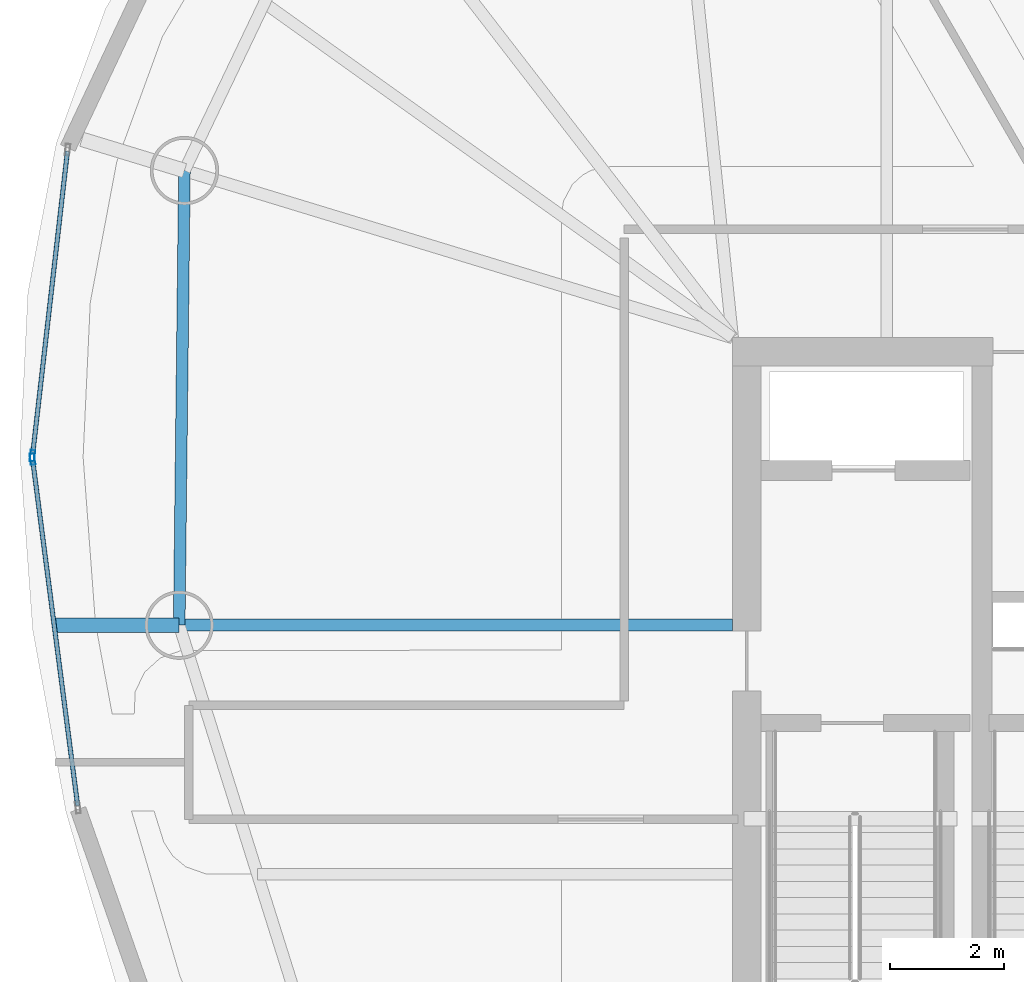
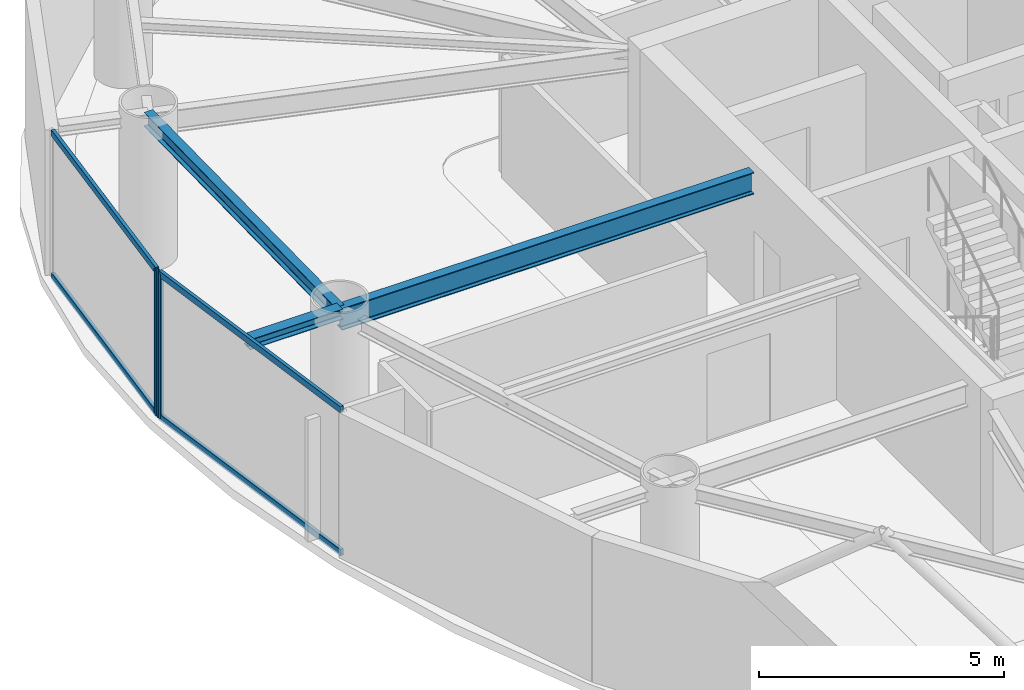
# One storey, part 5 of 20: 6 members, 3 beams, 2 elements without a shape of their own.
"""IFC4 building model written with IfcOpenShell, lengths in metres."""

from ifc_helpers import new_model, si_unit, direction, frame, origin, origin_2d, place, context, subcontext, project, spatial, hollow_rectangle, i_section, extrude, material, layer, layer_set, material_profile, profile_set, type_object, element, aggregate, save


model = new_model("IFC4")

# Units and contexts
model_context = context("Model", 3, precision=1e-05, world=origin(), true_north=direction((0.0, 1.0)))
body_context = subcontext(model_context, "Body", "Model", "MODEL_VIEW")
ifc_project = project(units=[si_unit("LENGTHUNIT", "METRE"), si_unit("AREAUNIT", "SQUARE_METRE"), si_unit("VOLUMEUNIT", "CUBIC_METRE"), si_unit("PLANEANGLEUNIT", "RADIAN"), si_unit("MASSUNIT", "GRAM", prefix="KILO")], contexts=[model_context])

# Site, building, storey
site_placement = place(None, origin())
site = spatial("IfcSite", under=ifc_project, at=site_placement, CompositionType="ELEMENT")
building_placement = place(site_placement, origin())
building = spatial("IfcBuilding", under=site, at=building_placement, Name="Bramvorn Convention Spire", CompositionType="ELEMENT")
storey_placement = place(building_placement, frame((0.0, 0.0, 175.050048828125)))
storey = spatial("IfcBuildingStorey", under=building, at=storey_placement, Name="L44", CompositionType="ELEMENT", Elevation=175.050048828125)

# Beams
ifc_material_1 = material(Name="Steel CSA G40.21 Grade 350 (350W)", Category="steel")
ifc_material_profile_1 = material_profile(ifc_material_1, i_section(OverallWidth=0.25390625, OverallDepth=0.2529296875, WebThickness=0.008544921875, FlangeThickness=0.01416015625, FilletRadius=0.011962890625, at=origin_2d()))
ifc_profile_set_1 = profile_set([ifc_material_profile_1], Name="Steel CSA G40.21 Grade 350 (350W) - W250X73")
beam_type_1 = type_object("IfcBeamType", Name="BM-W250X73", PredefinedType="BEAM", material=ifc_profile_set_1)
beam_1_placement = place(storey_placement, frame((17.04541015625, 28.406494140625, 3.493408203125), z_axis=(-1.0, 0.0, 0.0), x_axis=(0.0, -1.0, 0.0)))
element("IfcBeam", 1, at=beam_1_placement, inside=storey, type_object=beam_type_1, Name="L44 slab-edge cantilever tip beam MC11", PredefinedType="BEAM", context=body_context, shape_type="SweptSolid", body=[
    extrude(i_section(OverallWidth=0.25390625, OverallDepth=0.2529296875, WebThickness=0.008544921875, FlangeThickness=0.01416015625, FilletRadius=0.011962890625, at=origin_2d()), origin(), (0.0, 0.0, 1.0), 2.1826171875),
])
ifc_material_profile_2 = material_profile(ifc_material_1, i_section(OverallWidth=0.205078125, OverallDepth=0.35400390625, WebThickness=0.009521484375, FlangeThickness=0.016845703125, FilletRadius=0.014892578125, at=origin_2d()))
ifc_profile_set_2 = profile_set([ifc_material_profile_2], Name="Steel CSA G40.21 Grade 350 (350W) - W360X79")
beam_type_2 = type_object("IfcBeamType", Name="BM-W360X79", PredefinedType="JOIST", material=ifc_profile_set_2)
beam_2_placement = place(storey_placement, frame((17.136962890625, 36.380615234375, 3.44287109375), z_axis=(-0.011480475367, -0.999934097171, 0.0), x_axis=(0.999934097171, -0.011480475367, 0.0)))
element("IfcBeam", 2, at=beam_2_placement, inside=storey, type_object=beam_type_2, Name="L44 mega-column ring beam 10", PredefinedType="JOIST", context=body_context, shape_type="SweptSolid", body=[
    extrude(i_section(OverallWidth=0.205078125, OverallDepth=0.35400390625, WebThickness=0.009521484375, FlangeThickness=0.016845703125, FilletRadius=0.014892578125, at=origin_2d()), origin(), (0.0, 0.0, 1.0), 7.974609375),
])
ifc_material_profile_3 = material_profile(ifc_material_1, i_section(OverallWidth=0.2119140625, OverallDepth=0.5439453125, WebThickness=0.01318359375, FlangeThickness=0.021240234375, FilletRadius=0.01904296875, at=origin_2d()))
ifc_profile_set_3 = profile_set([ifc_material_profile_3], Name="Steel CSA G40.21 Grade 350 (350W) - W530X123")
beam_type_3 = type_object("IfcBeamType", Name="BM-W530X123", PredefinedType="BEAM", material=ifc_profile_set_3)
beam_3_placement = place(storey_placement, frame((26.75, 28.406494140625, 3.347900390625), z_axis=(-1.0, 0.0, 0.0), x_axis=(0.0, -1.0, 0.0)))
element("IfcBeam", 3, at=beam_3_placement, inside=storey, type_object=beam_type_3, Name="L44 radial floor girder MC11", PredefinedType="BEAM", context=body_context, shape_type="SweptSolid", body=[
    extrude(i_section(OverallWidth=0.2119140625, OverallDepth=0.5439453125, WebThickness=0.01318359375, FlangeThickness=0.021240234375, FilletRadius=0.01904296875, at=origin_2d()), origin(), (0.0, 0.0, 1.0), 9.70458984375),
])

# Curtain wall, member
ifc_material_2 = material(Name="Anodised Bronze Unitised Curtain Wall", Category="aluminium")
ifc_layer = layer(ifc_material_2, 0.179931640625)
ifc_layer_set = layer_set([ifc_layer], Name="Anodised Bronze Unitised Curtain Wall - CW-OFF-FRIT")
curtain_wall_type = type_object("IfcCurtainWallType", Name="CW-OFF-FRIT", PredefinedType="USERDEFINED", material=ifc_layer_set)
curtain_wall_1_placement = place(storey_placement, origin())
curtain_wall_1 = element("IfcCurtainWall", 4, at=curtain_wall_1_placement, inside=storey, type_object=curtain_wall_type, Name="L44 fritted glass curtain wall 14", ObjectType="UNITISED CURTAIN WALL", PredefinedType="USERDEFINED")
ifc_material_3 = material(Name="Anodised Bronze Aluminium 6063-T6", Category="aluminium")
ifc_material_profile_4 = material_profile(ifc_material_3, hollow_rectangle(XDim=0.080078125, YDim=0.199951171875, WallThickness=0.00390625, InnerFilletRadius=0.0009765625, OuterFilletRadius=0.00390625, at=origin_2d()))
ifc_profile_set_4 = profile_set([ifc_material_profile_4], Name="Anodised Bronze Aluminium 6063-T6 - CWM80X200")
member_type_1 = type_object("IfcMemberType", Name="CW-MUL-180", PredefinedType="MULLION", material=ifc_profile_set_4)
member_1_placement = place(storey_placement, frame((14.4716796875, 31.37939453125, 0.0), z_axis=(0.0, 0.0, 1.0), x_axis=(-0.993479833675, 0.114007982536, 0.0)))
member_1 = element("IfcMember", 5, at=member_1_placement, type_object=member_type_1, Name="CW3 mullion 1", PredefinedType="MULLION", context=body_context, shape_type="SweptSolid", body=[
    extrude(hollow_rectangle(XDim=0.080078125, YDim=0.199951171875, WallThickness=0.00390625, InnerFilletRadius=0.0009765625, OuterFilletRadius=0.00390625, at=origin_2d()), origin(), (0.0, 0.0, 1.0), 3.619873046875),
])

curtain_wall_2_placement = place(storey_placement, origin())
curtain_wall_2 = element("IfcCurtainWall", 6, at=curtain_wall_2_placement, inside=storey, type_object=curtain_wall_type, Name="L44 fritted glass curtain wall 15", ObjectType="UNITISED CURTAIN WALL", PredefinedType="USERDEFINED")
member_2_placement = place(storey_placement, frame((14.47216796875, 31.31982421875, 0.0), z_axis=(0.0, 0.0, 1.0), x_axis=(-0.991623680239, -0.129160662697, 0.0)))
member_2 = element("IfcMember", 7, at=member_2_placement, type_object=member_type_1, Name="CW3 mullion 2", PredefinedType="MULLION", context=body_context, shape_type="SweptSolid", body=[
    extrude(hollow_rectangle(XDim=0.080078125, YDim=0.199951171875, WallThickness=0.00390625, InnerFilletRadius=0.0009765625, OuterFilletRadius=0.00390625, at=origin_2d()), origin(), (0.0, 0.0, 1.0), 3.619873046875),
])

# Member
ifc_material_profile_5 = material_profile(ifc_material_3, hollow_rectangle(XDim=0.080078125, YDim=0.159912109375, WallThickness=0.00390625, InnerFilletRadius=0.0009765625, OuterFilletRadius=0.00390625, at=origin_2d()))
ifc_profile_set_5 = profile_set([ifc_material_profile_5], Name="Anodised Bronze Aluminium 6063-T6 - CWT80X160")
member_type_2 = type_object("IfcMemberType", Name="CW-TRN-150", PredefinedType="USERDEFINED", material=ifc_profile_set_5)
member_3_placement = place(storey_placement, frame((14.47509765625, 31.4091796875, 0.030029296875), z_axis=(0.114015518245, 0.993478968876, 0.0), x_axis=(-0.993478968876, 0.114015518245, 0.0)))
member_3 = element("IfcMember", 8, at=member_3_placement, type_object=member_type_2, Name="CW3 transom 1.1", ObjectType="TRANSOM", PredefinedType="USERDEFINED", context=body_context, shape_type="SweptSolid", body=[
    extrude(hollow_rectangle(XDim=0.080078125, YDim=0.159912109375, WallThickness=0.00390625, InnerFilletRadius=0.0009765625, OuterFilletRadius=0.00390625, at=origin_2d()), origin(), (0.0, 0.0, 1.0), 5.3447265625),
])

member_4_placement = place(storey_placement, frame((14.47509765625, 31.4091796875, 3.58984375), z_axis=(0.114015518245, 0.993478968876, 0.0), x_axis=(-0.993478968876, 0.114015518245, 0.0)))
member_4 = element("IfcMember", 9, at=member_4_placement, type_object=member_type_2, Name="CW3 transom 1.2", ObjectType="TRANSOM", PredefinedType="USERDEFINED", context=body_context, shape_type="SweptSolid", body=[
    extrude(hollow_rectangle(XDim=0.080078125, YDim=0.159912109375, WallThickness=0.00390625, InnerFilletRadius=0.0009765625, OuterFilletRadius=0.00390625, at=origin_2d()), origin(), (0.0, 0.0, 1.0), 5.3447265625),
])

aggregate(curtain_wall_1, [member_1, member_3, member_4])

member_5_placement = place(storey_placement, frame((15.2646484375, 25.23486328125, 0.030029296875), z_axis=(-0.129140907896, 0.991626253136, 0.0), x_axis=(-0.991626253136, -0.129140907896, 0.0)))
member_5 = element("IfcMember", 10, at=member_5_placement, type_object=member_type_2, Name="CW3 transom 1.1", ObjectType="TRANSOM", PredefinedType="USERDEFINED", context=body_context, shape_type="SweptSolid", body=[
    extrude(hollow_rectangle(XDim=0.080078125, YDim=0.159912109375, WallThickness=0.00390625, InnerFilletRadius=0.0009765625, OuterFilletRadius=0.00390625, at=origin_2d()), origin(), (0.0, 0.0, 1.0), 6.106201171875),
])

member_6_placement = place(storey_placement, frame((15.2646484375, 25.23486328125, 3.58984375), z_axis=(-0.129140907896, 0.991626253136, 0.0), x_axis=(-0.991626253136, -0.129140907896, 0.0)))
member_6 = element("IfcMember", 11, at=member_6_placement, type_object=member_type_2, Name="CW3 transom 1.2", ObjectType="TRANSOM", PredefinedType="USERDEFINED", context=body_context, shape_type="SweptSolid", body=[
    extrude(hollow_rectangle(XDim=0.080078125, YDim=0.159912109375, WallThickness=0.00390625, InnerFilletRadius=0.0009765625, OuterFilletRadius=0.00390625, at=origin_2d()), origin(), (0.0, 0.0, 1.0), 6.106201171875),
])

aggregate(curtain_wall_2, [member_2, member_5, member_6])

save(model, "model.ifc")
